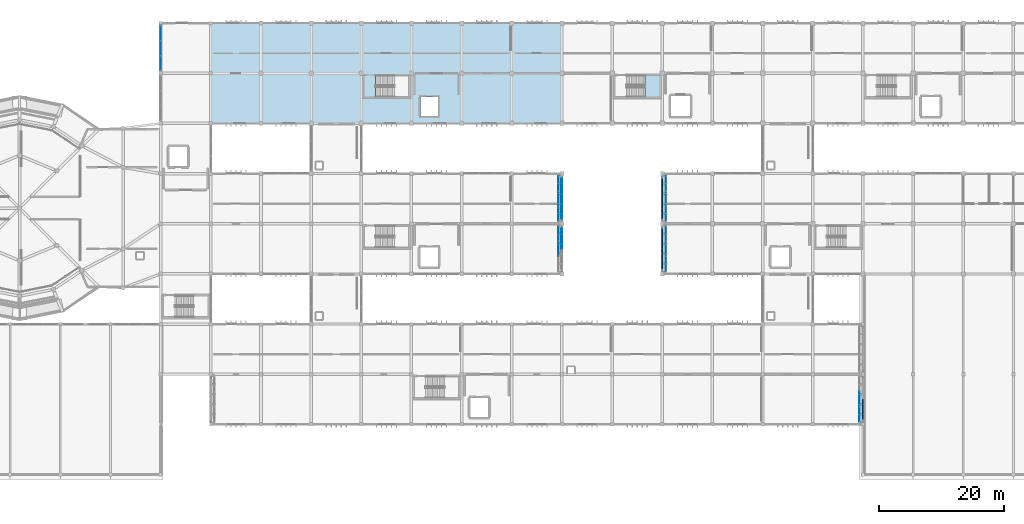
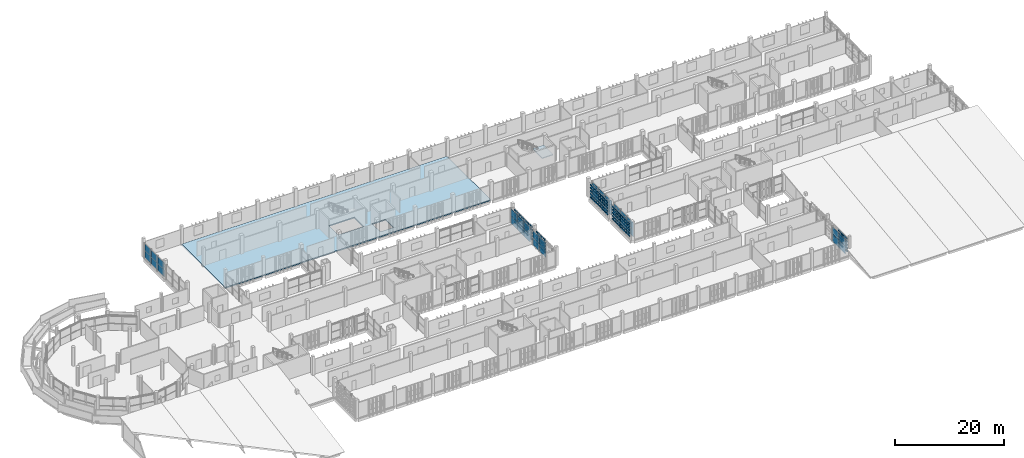
# One storey, part 59 of 83: 112 plates, 2 slabs, 7 elements without a shape of their own.
"""IFC4 building model written with IfcOpenShell, lengths in metres."""

from ifc_helpers import new_model, si_unit, direction, frame, origin, origin_2d, place, context, subcontext, project, spatial, polyline, rectangle, outline, extrude, material, layer, layer_set, type_object, element, aggregate, save


model = new_model("IFC4")

# Units and contexts
model_context = context("Model", 3, precision=1e-05, world=origin(), true_north=direction((0.0, 1.0)))
body_context = subcontext(model_context, "Body", "Model", "MODEL_VIEW")
ifc_project = project(units=[si_unit("LENGTHUNIT", "METRE"), si_unit("AREAUNIT", "SQUARE_METRE"), si_unit("VOLUMEUNIT", "CUBIC_METRE"), si_unit("PLANEANGLEUNIT", "RADIAN"), si_unit("MASSUNIT", "GRAM", prefix="KILO")], contexts=[model_context])

# Site, building, storey
site_placement = place(None, origin())
site = spatial("IfcSite", under=ifc_project, at=site_placement, CompositionType="ELEMENT")
building_placement = place(site_placement, origin())
building = spatial("IfcBuilding", under=site, at=building_placement, Name="Jelvoka-Kovrelna Polytechnic", CompositionType="ELEMENT")
storey_placement = place(building_placement, frame((0.0, 0.0, 13.800048828125)))
storey = spatial("IfcBuildingStorey", under=building, at=storey_placement, Name="L04", CompositionType="ELEMENT", Elevation=13.800048828125)

# Curtain wall, plates
ifc_material_1 = material(Name="Anodised aluminium 6063-T6", Category="aluminium")
ifc_layer_1 = layer(ifc_material_1, 0.159912109375)
ifc_layer_set_1 = layer_set([ifc_layer_1], Name="Anodised aluminium 6063-T6")
curtain_wall_type_1 = type_object("IfcCurtainWallType", Name="CW_Recessed_A", PredefinedType="NOTDEFINED", material=ifc_layer_set_1)
curtain_wall_1_placement = place(storey_placement, origin())
curtain_wall_1 = element("IfcCurtainWall", 1, at=curtain_wall_1_placement, inside=storey, type_object=curtain_wall_type_1, Name="L04 glazed curtain wall 005", PredefinedType="NOTDEFINED")
ifc_material_2 = material(Name="Solar-control double glazing", Category="glass")
ifc_layer_2 = layer(ifc_material_2, 0.028076171875)
ifc_layer_set_2 = layer_set([ifc_layer_2], Name="Solar-control double glazing")
plate_type_1 = type_object("IfcPlateType", Name="Panel_GP-01", PredefinedType="CURTAIN_PANEL", material=ifc_layer_set_2)
plate_1_placement = place(storey_placement, frame((159.43994140625, 12.0, 0.052001953125), z_axis=(0.0, 0.0, 1.0), x_axis=(0.0, -1.0, 0.0)))
plate_1 = element("IfcPlate", 2, at=plate_1_placement, type_object=plate_type_1, Name="CW-01 panel 2.1", PredefinedType="CURTAIN_PANEL", context=body_context, shape_type="SweptSolid", body=[
    extrude(rectangle(XDim=2.356201171875, YDim=0.028076171875, at=origin_2d()), origin(), (0.0, 0.0, 1.0), 1.60107421875),
])
plate_2_placement = place(storey_placement, frame((159.43994140625, 12.0, 1.697021484375), z_axis=(0.0, 0.0, 1.0), x_axis=(0.0, -1.0, 0.0)))
plate_2 = element("IfcPlate", 3, at=plate_2_placement, type_object=plate_type_1, Name="CW-01 panel 2.2", PredefinedType="CURTAIN_PANEL", context=body_context, shape_type="SweptSolid", body=[
    extrude(rectangle(XDim=2.356201171875, YDim=0.028076171875, at=origin_2d()), origin(), (0.0, 0.0, 1.0), 1.60107421875),
])
plate_3_placement = place(storey_placement, frame((159.43994140625, 9.614990234375, 0.052001953125), z_axis=(0.0, 0.0, 1.0), x_axis=(0.0, -1.0, 0.0)))
plate_3 = element("IfcPlate", 4, at=plate_3_placement, type_object=plate_type_1, Name="CW-01 panel 3.1", PredefinedType="CURTAIN_PANEL", context=body_context, shape_type="SweptSolid", body=[
    extrude(rectangle(XDim=2.326171875, YDim=0.028076171875, at=origin_2d()), origin(), (0.0, 0.0, 1.0), 1.60107421875),
])
plate_4_placement = place(storey_placement, frame((159.43994140625, 9.614990234375, 1.697021484375), z_axis=(0.0, 0.0, 1.0), x_axis=(0.0, -1.0, 0.0)))
plate_4 = element("IfcPlate", 5, at=plate_4_placement, type_object=plate_type_1, Name="CW-01 panel 3.2", PredefinedType="CURTAIN_PANEL", context=body_context, shape_type="SweptSolid", body=[
    extrude(rectangle(XDim=2.326171875, YDim=0.028076171875, at=origin_2d()), origin(), (0.0, 0.0, 1.0), 1.60107421875),
])
aggregate(curtain_wall_1, [plate_1, plate_2, plate_3, plate_4])

curtain_wall_2_placement = place(storey_placement, origin())
curtain_wall_2 = element("IfcCurtainWall", 6, at=curtain_wall_2_placement, inside=storey, type_object=curtain_wall_type_1, Name="L04 glazed curtain wall 031", PredefinedType="NOTDEFINED")
plate_5_placement = place(storey_placement, frame((111.43994140625, 38.385009765625, 0.052001953125), z_axis=(0.0, 0.0, 1.0), x_axis=(0.0, -1.0, 0.0)))
plate_5 = element("IfcPlate", 7, at=plate_5_placement, type_object=plate_type_1, Name="CW-01 panel 1.1", PredefinedType="CURTAIN_PANEL", context=body_context, shape_type="SweptSolid", body=[
    extrude(rectangle(XDim=2.326171875, YDim=0.028076171875, at=origin_2d()), origin(), (0.0, 0.0, 1.0), 1.60107421875),
])
plate_6_placement = place(storey_placement, frame((111.43994140625, 38.385009765625, 1.697021484375), z_axis=(0.0, 0.0, 1.0), x_axis=(0.0, -1.0, 0.0)))
plate_6 = element("IfcPlate", 8, at=plate_6_placement, type_object=plate_type_1, Name="CW-01 panel 1.2", PredefinedType="CURTAIN_PANEL", context=body_context, shape_type="SweptSolid", body=[
    extrude(rectangle(XDim=2.326171875, YDim=0.028076171875, at=origin_2d()), origin(), (0.0, 0.0, 1.0), 1.60107421875),
])
plate_7_placement = place(storey_placement, frame((111.43994140625, 36.0, 0.052001953125), z_axis=(0.0, 0.0, 1.0), x_axis=(0.0, -1.0, 0.0)))
plate_7 = element("IfcPlate", 9, at=plate_7_placement, type_object=plate_type_1, Name="CW-01 panel 2.1", PredefinedType="CURTAIN_PANEL", context=body_context, shape_type="SweptSolid", body=[
    extrude(rectangle(XDim=2.356201171875, YDim=0.028076171875, at=origin_2d()), origin(), (0.0, 0.0, 1.0), 1.60107421875),
])
plate_8_placement = place(storey_placement, frame((111.43994140625, 36.0, 1.697021484375), z_axis=(0.0, 0.0, 1.0), x_axis=(0.0, -1.0, 0.0)))
plate_8 = element("IfcPlate", 10, at=plate_8_placement, type_object=plate_type_1, Name="CW-01 panel 2.2", PredefinedType="CURTAIN_PANEL", context=body_context, shape_type="SweptSolid", body=[
    extrude(rectangle(XDim=2.356201171875, YDim=0.028076171875, at=origin_2d()), origin(), (0.0, 0.0, 1.0), 1.60107421875),
])
aggregate(curtain_wall_2, [plate_5, plate_6, plate_7, plate_8])

curtain_wall_3_placement = place(storey_placement, origin())
curtain_wall_3 = element("IfcCurtainWall", 11, at=curtain_wall_3_placement, inside=storey, type_object=curtain_wall_type_1, Name="L04 glazed curtain wall 032", PredefinedType="NOTDEFINED")
plate_9_placement = place(storey_placement, frame((111.43994140625, 46.385009765625, 0.052001953125), z_axis=(0.0, 0.0, 1.0), x_axis=(0.0, -1.0, 0.0)))
plate_9 = element("IfcPlate", 12, at=plate_9_placement, type_object=plate_type_1, Name="CW-01 panel 1.1", PredefinedType="CURTAIN_PANEL", context=body_context, shape_type="SweptSolid", body=[
    extrude(rectangle(XDim=2.326171875, YDim=0.028076171875, at=origin_2d()), origin(), (0.0, 0.0, 1.0), 1.60107421875),
])
plate_10_placement = place(storey_placement, frame((111.43994140625, 46.385009765625, 1.697021484375), z_axis=(0.0, 0.0, 1.0), x_axis=(0.0, -1.0, 0.0)))
plate_10 = element("IfcPlate", 13, at=plate_10_placement, type_object=plate_type_1, Name="CW-01 panel 1.2", PredefinedType="CURTAIN_PANEL", context=body_context, shape_type="SweptSolid", body=[
    extrude(rectangle(XDim=2.326171875, YDim=0.028076171875, at=origin_2d()), origin(), (0.0, 0.0, 1.0), 1.60107421875),
])
plate_11_placement = place(storey_placement, frame((111.43994140625, 44.0, 0.052001953125), z_axis=(0.0, 0.0, 1.0), x_axis=(0.0, -1.0, 0.0)))
plate_11 = element("IfcPlate", 14, at=plate_11_placement, type_object=plate_type_1, Name="CW-01 panel 2.1", PredefinedType="CURTAIN_PANEL", context=body_context, shape_type="SweptSolid", body=[
    extrude(rectangle(XDim=2.356201171875, YDim=0.028076171875, at=origin_2d()), origin(), (0.0, 0.0, 1.0), 1.60107421875),
])
plate_12_placement = place(storey_placement, frame((111.43994140625, 44.0, 1.697021484375), z_axis=(0.0, 0.0, 1.0), x_axis=(0.0, -1.0, 0.0)))
plate_12 = element("IfcPlate", 15, at=plate_12_placement, type_object=plate_type_1, Name="CW-01 panel 2.2", PredefinedType="CURTAIN_PANEL", context=body_context, shape_type="SweptSolid", body=[
    extrude(rectangle(XDim=2.356201171875, YDim=0.028076171875, at=origin_2d()), origin(), (0.0, 0.0, 1.0), 1.60107421875),
])
plate_13_placement = place(storey_placement, frame((111.43994140625, 41.614990234375, 0.052001953125), z_axis=(0.0, 0.0, 1.0), x_axis=(0.0, -1.0, 0.0)))
plate_13 = element("IfcPlate", 16, at=plate_13_placement, type_object=plate_type_1, Name="CW-01 panel 3.1", PredefinedType="CURTAIN_PANEL", context=body_context, shape_type="SweptSolid", body=[
    extrude(rectangle(XDim=2.326171875, YDim=0.028076171875, at=origin_2d()), origin(), (0.0, 0.0, 1.0), 1.60107421875),
])
plate_14_placement = place(storey_placement, frame((111.43994140625, 41.614990234375, 1.697021484375), z_axis=(0.0, 0.0, 1.0), x_axis=(0.0, -1.0, 0.0)))
plate_14 = element("IfcPlate", 17, at=plate_14_placement, type_object=plate_type_1, Name="CW-01 panel 3.2", PredefinedType="CURTAIN_PANEL", context=body_context, shape_type="SweptSolid", body=[
    extrude(rectangle(XDim=2.326171875, YDim=0.028076171875, at=origin_2d()), origin(), (0.0, 0.0, 1.0), 1.60107421875),
])
aggregate(curtain_wall_3, [plate_9, plate_10, plate_11, plate_12, plate_13, plate_14])

curtain_wall_4_placement = place(storey_placement, origin())
curtain_wall_4 = element("IfcCurtainWall", 18, at=curtain_wall_4_placement, inside=storey, type_object=curtain_wall_type_1, Name="L04 glazed curtain wall 066", PredefinedType="NOTDEFINED")
plate_15_placement = place(storey_placement, frame((128.56005859375, 33.614990234375, 0.052001953125), z_axis=(0.0, 0.0, 1.0), x_axis=(0.0, 1.0, 0.0)))
plate_15 = element("IfcPlate", 19, at=plate_15_placement, type_object=plate_type_1, Name="CW-01 panel 1.1", PredefinedType="CURTAIN_PANEL", context=body_context, shape_type="SweptSolid", body=[
    extrude(rectangle(XDim=2.326171875, YDim=0.028076171875, at=origin_2d()), origin(), (0.0, 0.0, 1.0), 1.60107421875),
])
plate_16_placement = place(storey_placement, frame((128.56005859375, 33.614990234375, 1.697021484375), z_axis=(0.0, 0.0, 1.0), x_axis=(0.0, 1.0, 0.0)))
plate_16 = element("IfcPlate", 20, at=plate_16_placement, type_object=plate_type_1, Name="CW-01 panel 1.2", PredefinedType="CURTAIN_PANEL", context=body_context, shape_type="SweptSolid", body=[
    extrude(rectangle(XDim=2.326171875, YDim=0.028076171875, at=origin_2d()), origin(), (0.0, 0.0, 1.0), 1.60107421875),
])
plate_17_placement = place(storey_placement, frame((128.56005859375, 36.0, 0.052001953125), z_axis=(0.0, 0.0, 1.0), x_axis=(0.0, 1.0, 0.0)))
plate_17 = element("IfcPlate", 21, at=plate_17_placement, type_object=plate_type_1, Name="CW-01 panel 2.1", PredefinedType="CURTAIN_PANEL", context=body_context, shape_type="SweptSolid", body=[
    extrude(rectangle(XDim=2.356201171875, YDim=0.028076171875, at=origin_2d()), origin(), (0.0, 0.0, 1.0), 1.60107421875),
])
plate_18_placement = place(storey_placement, frame((128.56005859375, 36.0, 1.697021484375), z_axis=(0.0, 0.0, 1.0), x_axis=(0.0, 1.0, 0.0)))
plate_18 = element("IfcPlate", 22, at=plate_18_placement, type_object=plate_type_1, Name="CW-01 panel 2.2", PredefinedType="CURTAIN_PANEL", context=body_context, shape_type="SweptSolid", body=[
    extrude(rectangle(XDim=2.356201171875, YDim=0.028076171875, at=origin_2d()), origin(), (0.0, 0.0, 1.0), 1.60107421875),
])
plate_19_placement = place(storey_placement, frame((128.56005859375, 38.385009765625, 0.052001953125), z_axis=(0.0, 0.0, 1.0), x_axis=(0.0, 1.0, 0.0)))
plate_19 = element("IfcPlate", 23, at=plate_19_placement, type_object=plate_type_1, Name="CW-01 panel 3.1", PredefinedType="CURTAIN_PANEL", context=body_context, shape_type="SweptSolid", body=[
    extrude(rectangle(XDim=2.326171875, YDim=0.028076171875, at=origin_2d()), origin(), (0.0, 0.0, 1.0), 1.60107421875),
])
plate_20_placement = place(storey_placement, frame((128.56005859375, 38.385009765625, 1.697021484375), z_axis=(0.0, 0.0, 1.0), x_axis=(0.0, 1.0, 0.0)))
plate_20 = element("IfcPlate", 24, at=plate_20_placement, type_object=plate_type_1, Name="CW-01 panel 3.2", PredefinedType="CURTAIN_PANEL", context=body_context, shape_type="SweptSolid", body=[
    extrude(rectangle(XDim=2.326171875, YDim=0.028076171875, at=origin_2d()), origin(), (0.0, 0.0, 1.0), 1.60107421875),
])
aggregate(curtain_wall_4, [plate_15, plate_16, plate_17, plate_18, plate_19, plate_20])

curtain_wall_5_placement = place(storey_placement, origin())
curtain_wall_5 = element("IfcCurtainWall", 25, at=curtain_wall_5_placement, inside=storey, type_object=curtain_wall_type_1, Name="L04 glazed curtain wall 067", PredefinedType="NOTDEFINED")
plate_21_placement = place(storey_placement, frame((128.56005859375, 41.614990234375, 0.052001953125), z_axis=(0.0, 0.0, 1.0), x_axis=(0.0, 1.0, 0.0)))
plate_21 = element("IfcPlate", 26, at=plate_21_placement, type_object=plate_type_1, Name="CW-01 panel 1.1", PredefinedType="CURTAIN_PANEL", context=body_context, shape_type="SweptSolid", body=[
    extrude(rectangle(XDim=2.326171875, YDim=0.028076171875, at=origin_2d()), origin(), (0.0, 0.0, 1.0), 1.60107421875),
])
plate_22_placement = place(storey_placement, frame((128.56005859375, 41.614990234375, 1.697021484375), z_axis=(0.0, 0.0, 1.0), x_axis=(0.0, 1.0, 0.0)))
plate_22 = element("IfcPlate", 27, at=plate_22_placement, type_object=plate_type_1, Name="CW-01 panel 1.2", PredefinedType="CURTAIN_PANEL", context=body_context, shape_type="SweptSolid", body=[
    extrude(rectangle(XDim=2.326171875, YDim=0.028076171875, at=origin_2d()), origin(), (0.0, 0.0, 1.0), 1.60107421875),
])
plate_23_placement = place(storey_placement, frame((128.56005859375, 44.0, 0.052001953125), z_axis=(0.0, 0.0, 1.0), x_axis=(0.0, 1.0, 0.0)))
plate_23 = element("IfcPlate", 28, at=plate_23_placement, type_object=plate_type_1, Name="CW-01 panel 2.1", PredefinedType="CURTAIN_PANEL", context=body_context, shape_type="SweptSolid", body=[
    extrude(rectangle(XDim=2.356201171875, YDim=0.028076171875, at=origin_2d()), origin(), (0.0, 0.0, 1.0), 1.60107421875),
])
plate_24_placement = place(storey_placement, frame((128.56005859375, 44.0, 1.697021484375), z_axis=(0.0, 0.0, 1.0), x_axis=(0.0, 1.0, 0.0)))
plate_24 = element("IfcPlate", 29, at=plate_24_placement, type_object=plate_type_1, Name="CW-01 panel 2.2", PredefinedType="CURTAIN_PANEL", context=body_context, shape_type="SweptSolid", body=[
    extrude(rectangle(XDim=2.356201171875, YDim=0.028076171875, at=origin_2d()), origin(), (0.0, 0.0, 1.0), 1.60107421875),
])
plate_25_placement = place(storey_placement, frame((128.56005859375, 46.385009765625, 0.052001953125), z_axis=(0.0, 0.0, 1.0), x_axis=(0.0, 1.0, 0.0)))
plate_25 = element("IfcPlate", 30, at=plate_25_placement, type_object=plate_type_1, Name="CW-01 panel 3.1", PredefinedType="CURTAIN_PANEL", context=body_context, shape_type="SweptSolid", body=[
    extrude(rectangle(XDim=2.326171875, YDim=0.028076171875, at=origin_2d()), origin(), (0.0, 0.0, 1.0), 1.60107421875),
])
plate_26_placement = place(storey_placement, frame((128.56005859375, 46.385009765625, 1.697021484375), z_axis=(0.0, 0.0, 1.0), x_axis=(0.0, 1.0, 0.0)))
plate_26 = element("IfcPlate", 31, at=plate_26_placement, type_object=plate_type_1, Name="CW-01 panel 3.2", PredefinedType="CURTAIN_PANEL", context=body_context, shape_type="SweptSolid", body=[
    extrude(rectangle(XDim=2.326171875, YDim=0.028076171875, at=origin_2d()), origin(), (0.0, 0.0, 1.0), 1.60107421875),
])
aggregate(curtain_wall_5, [plate_21, plate_22, plate_23, plate_24, plate_25, plate_26])

ifc_material_3 = material(Name="Anodised aluminium 6063-T6", Category="aluminium")
ifc_layer_3 = layer(ifc_material_3, 0.179931640625)
ifc_layer_set_3 = layer_set([ifc_layer_3], Name="Anodised aluminium 6063-T6")
curtain_wall_type_2 = type_object("IfcCurtainWallType", Name="CW_Pavilion", PredefinedType="NOTDEFINED", material=ifc_layer_set_3)
curtain_wall_6_placement = place(storey_placement, origin())
curtain_wall_6 = element("IfcCurtainWall", 32, at=curtain_wall_6_placement, inside=storey, type_object=curtain_wall_type_2, Name="L04 glazed curtain wall 143", PredefinedType="NOTDEFINED")
ifc_material_4 = material(Name="Solar-control double glazing", Category="glass")
ifc_layer_4 = layer(ifc_material_4, 0.030029296875)
ifc_layer_set_4 = layer_set([ifc_layer_4], Name="Solar-control double glazing")
plate_type_2 = type_object("IfcPlateType", Name="Panel_GP-05", PredefinedType="CURTAIN_PANEL", material=ifc_layer_set_4)
plate_27_placement = place(storey_placement, frame((48.0, 65.6162109375, 0.056884765625), z_axis=(0.0, 0.0, 1.0), x_axis=(0.0, 1.0, 0.0)))
plate_27 = element("IfcPlate", 33, at=plate_27_placement, type_object=plate_type_2, Name="CW-05 panel 1.1", PredefinedType="CURTAIN_PANEL", context=body_context, shape_type="SweptSolid", body=[
    extrude(rectangle(XDim=2.318603515625, YDim=0.030029296875, at=origin_2d()), origin(), (0.0, 0.0, 1.0), 1.531005859375),
])
plate_28_placement = place(storey_placement, frame((48.0, 65.6162109375, 1.636962890625), z_axis=(0.0, 0.0, 1.0), x_axis=(0.0, 1.0, 0.0)))
plate_28 = element("IfcPlate", 34, at=plate_28_placement, type_object=plate_type_2, Name="CW-05 panel 1.2", PredefinedType="CURTAIN_PANEL", context=body_context, shape_type="SweptSolid", body=[
    extrude(rectangle(XDim=2.318603515625, YDim=0.030029296875, at=origin_2d()), origin(), (0.0, 0.0, 1.0), 1.531005859375),
])
plate_29_placement = place(storey_placement, frame((48.0, 68.0, 0.056884765625), z_axis=(0.0, 0.0, 1.0), x_axis=(0.0, 1.0, 0.0)))
plate_29 = element("IfcPlate", 35, at=plate_29_placement, type_object=plate_type_2, Name="CW-05 panel 2.1", PredefinedType="CURTAIN_PANEL", context=body_context, shape_type="SweptSolid", body=[
    extrude(rectangle(XDim=2.35107421875, YDim=0.030029296875, at=origin_2d()), origin(), (0.0, 0.0, 1.0), 1.531005859375),
])
plate_30_placement = place(storey_placement, frame((48.0, 68.0, 1.636962890625), z_axis=(0.0, 0.0, 1.0), x_axis=(0.0, 1.0, 0.0)))
plate_30 = element("IfcPlate", 36, at=plate_30_placement, type_object=plate_type_2, Name="CW-05 panel 2.2", PredefinedType="CURTAIN_PANEL", context=body_context, shape_type="SweptSolid", body=[
    extrude(rectangle(XDim=2.35107421875, YDim=0.030029296875, at=origin_2d()), origin(), (0.0, 0.0, 1.0), 1.531005859375),
])
plate_31_placement = place(storey_placement, frame((48.0, 70.3837890625, 0.056884765625), z_axis=(0.0, 0.0, 1.0), x_axis=(0.0, 1.0, 0.0)))
plate_31 = element("IfcPlate", 37, at=plate_31_placement, type_object=plate_type_2, Name="CW-05 panel 3.1", PredefinedType="CURTAIN_PANEL", context=body_context, shape_type="SweptSolid", body=[
    extrude(rectangle(XDim=2.318603515625, YDim=0.030029296875, at=origin_2d()), origin(), (0.0, 0.0, 1.0), 1.531005859375),
])
plate_32_placement = place(storey_placement, frame((48.0, 70.3837890625, 1.636962890625), z_axis=(0.0, 0.0, 1.0), x_axis=(0.0, 1.0, 0.0)))
plate_32 = element("IfcPlate", 38, at=plate_32_placement, type_object=plate_type_2, Name="CW-05 panel 3.2", PredefinedType="CURTAIN_PANEL", context=body_context, shape_type="SweptSolid", body=[
    extrude(rectangle(XDim=2.318603515625, YDim=0.030029296875, at=origin_2d()), origin(), (0.0, 0.0, 1.0), 1.531005859375),
])
aggregate(curtain_wall_6, [plate_27, plate_28, plate_29, plate_30, plate_31, plate_32])

# Plates
ifc_material_5 = material(Name="Perforated fired terracotta block", Category="masonry")
ifc_layer_5 = layer(ifc_material_5, 0.179931640625)
ifc_layer_set_5 = layer_set([ifc_layer_5], Name="Perforated fired terracotta block")
plate_type_3 = type_object("IfcPlateType", Name="Screen_Terracotta_TP02", PredefinedType="USERDEFINED", material=ifc_layer_set_5)
for number, where, z_axis, x_axis, name in (
    (39, (159.97998046875, 9.60009765625, 0.2001953125), (0.0, 0.0, 1.0), (0.0, 1.0, 0.0), "L04 perforated terracotta lattice band 0081"),
    (40, (159.97998046875, 9.60009765625, 0.892578125), (0.0, 0.0, 1.0), (0.0, 1.0, 0.0), "L04 perforated terracotta lattice band 0082"),
    (41, (159.97998046875, 9.60009765625, 1.5849609375), (0.0, 0.0, 1.0), (0.0, 1.0, 0.0), "L04 perforated terracotta lattice band 0083"),
    (42, (159.97998046875, 9.60009765625, 2.27734375), (0.0, 0.0, 1.0), (0.0, 1.0, 0.0), "L04 perforated terracotta lattice band 0084"),
    (43, (159.97998046875, 9.60009765625, 2.9697265625), (0.0, 0.0, 1.0), (0.0, 1.0, 0.0), "L04 perforated terracotta lattice band 0085"),
    (44, (159.97998046875, 11.199951171875, 0.2001953125), (0.0, 0.0, 1.0), (0.0, 1.0, 0.0), "L04 perforated terracotta lattice band 0086"),
    (45, (159.97998046875, 11.199951171875, 0.892578125), (0.0, 0.0, 1.0), (0.0, 1.0, 0.0), "L04 perforated terracotta lattice band 0087"),
    (46, (159.97998046875, 11.199951171875, 1.5849609375), (0.0, 0.0, 1.0), (0.0, 1.0, 0.0), "L04 perforated terracotta lattice band 0088"),
    (47, (159.97998046875, 11.199951171875, 2.27734375), (0.0, 0.0, 1.0), (0.0, 1.0, 0.0), "L04 perforated terracotta lattice band 0089"),
    (48, (159.97998046875, 11.199951171875, 2.9697265625), (0.0, 0.0, 1.0), (0.0, 1.0, 0.0), "L04 perforated terracotta lattice band 0090"),
):
    element("IfcPlate", number, at=place(storey_placement, frame(where, z_axis=z_axis, x_axis=x_axis)), inside=storey, type_object=plate_type_3, Name=name, ObjectType="SCREEN PANEL", PredefinedType="USERDEFINED", context=body_context, shape_type="SweptSolid", body=[
        extrude(rectangle(XDim=1.60009765625, YDim=0.179931640625, at=origin_2d()), origin(), (0.0, 0.0, 1.0), 0.239990234375),
    ])
ifc_material_6 = material(Name="Perforated fired terracotta block", Category="masonry")
ifc_layer_6 = layer(ifc_material_6, 0.14990234375)
ifc_layer_set_6 = layer_set([ifc_layer_6], Name="Perforated fired terracotta block")
plate_type_4 = type_object("IfcPlateType", Name="Screen_Terracotta_TP03", PredefinedType="USERDEFINED", material=ifc_layer_set_6)
for number, where, z_axis, x_axis, name in (
    (49, (111.97998046875, 36.800048828125, 0.18994140625), (0.0, 0.0, 1.0), (0.0, 1.0, 0.0), "L04 perforated terracotta lattice band 0291"),
    (50, (111.97998046875, 36.800048828125, 0.88232421875), (0.0, 0.0, 1.0), (0.0, 1.0, 0.0), "L04 perforated terracotta lattice band 0292"),
    (51, (111.97998046875, 36.800048828125, 1.57470703125), (0.0, 0.0, 1.0), (0.0, 1.0, 0.0), "L04 perforated terracotta lattice band 0293"),
    (52, (111.97998046875, 36.800048828125, 2.267578125), (0.0, 0.0, 1.0), (0.0, 1.0, 0.0), "L04 perforated terracotta lattice band 0294"),
    (53, (111.97998046875, 36.800048828125, 2.9599609375), (0.0, 0.0, 1.0), (0.0, 1.0, 0.0), "L04 perforated terracotta lattice band 0295"),
    (54, (111.97998046875, 38.39990234375, 0.18994140625), (0.0, 0.0, 1.0), (0.0, 1.0, 0.0), "L04 perforated terracotta lattice band 0296"),
    (55, (111.97998046875, 38.39990234375, 0.88232421875), (0.0, 0.0, 1.0), (0.0, 1.0, 0.0), "L04 perforated terracotta lattice band 0297"),
    (56, (111.97998046875, 38.39990234375, 1.57470703125), (0.0, 0.0, 1.0), (0.0, 1.0, 0.0), "L04 perforated terracotta lattice band 0298"),
    (57, (111.97998046875, 38.39990234375, 2.267578125), (0.0, 0.0, 1.0), (0.0, 1.0, 0.0), "L04 perforated terracotta lattice band 0299"),
    (58, (111.97998046875, 38.39990234375, 2.9599609375), (0.0, 0.0, 1.0), (0.0, 1.0, 0.0), "L04 perforated terracotta lattice band 0300"),
    (59, (111.97998046875, 41.60009765625, 0.18994140625), (0.0, 0.0, 1.0), (0.0, 1.0, 0.0), "L04 perforated terracotta lattice band 0301"),
    (60, (111.97998046875, 41.60009765625, 0.88232421875), (0.0, 0.0, 1.0), (0.0, 1.0, 0.0), "L04 perforated terracotta lattice band 0302"),
    (61, (111.97998046875, 41.60009765625, 1.57470703125), (0.0, 0.0, 1.0), (0.0, 1.0, 0.0), "L04 perforated terracotta lattice band 0303"),
    (62, (111.97998046875, 41.60009765625, 2.267578125), (0.0, 0.0, 1.0), (0.0, 1.0, 0.0), "L04 perforated terracotta lattice band 0304"),
    (63, (111.97998046875, 41.60009765625, 2.9599609375), (0.0, 0.0, 1.0), (0.0, 1.0, 0.0), "L04 perforated terracotta lattice band 0305"),
    (64, (111.97998046875, 43.199951171875, 0.18994140625), (0.0, 0.0, 1.0), (0.0, 1.0, 0.0), "L04 perforated terracotta lattice band 0306"),
    (65, (111.97998046875, 43.199951171875, 0.88232421875), (0.0, 0.0, 1.0), (0.0, 1.0, 0.0), "L04 perforated terracotta lattice band 0307"),
    (66, (111.97998046875, 43.199951171875, 1.57470703125), (0.0, 0.0, 1.0), (0.0, 1.0, 0.0), "L04 perforated terracotta lattice band 0308"),
    (67, (111.97998046875, 43.199951171875, 2.267578125), (0.0, 0.0, 1.0), (0.0, 1.0, 0.0), "L04 perforated terracotta lattice band 0309"),
    (68, (111.97998046875, 43.199951171875, 2.9599609375), (0.0, 0.0, 1.0), (0.0, 1.0, 0.0), "L04 perforated terracotta lattice band 0310"),
    (69, (111.97998046875, 44.800048828125, 0.18994140625), (0.0, 0.0, 1.0), (0.0, 1.0, 0.0), "L04 perforated terracotta lattice band 0311"),
    (70, (111.97998046875, 44.800048828125, 0.88232421875), (0.0, 0.0, 1.0), (0.0, 1.0, 0.0), "L04 perforated terracotta lattice band 0312"),
    (71, (111.97998046875, 44.800048828125, 1.57470703125), (0.0, 0.0, 1.0), (0.0, 1.0, 0.0), "L04 perforated terracotta lattice band 0313"),
    (72, (111.97998046875, 44.800048828125, 2.267578125), (0.0, 0.0, 1.0), (0.0, 1.0, 0.0), "L04 perforated terracotta lattice band 0314"),
    (73, (111.97998046875, 44.800048828125, 2.9599609375), (0.0, 0.0, 1.0), (0.0, 1.0, 0.0), "L04 perforated terracotta lattice band 0315"),
    (74, (111.97998046875, 46.39990234375, 0.18994140625), (0.0, 0.0, 1.0), (0.0, 1.0, 0.0), "L04 perforated terracotta lattice band 0316"),
    (75, (111.97998046875, 46.39990234375, 0.88232421875), (0.0, 0.0, 1.0), (0.0, 1.0, 0.0), "L04 perforated terracotta lattice band 0317"),
    (76, (111.97998046875, 46.39990234375, 1.57470703125), (0.0, 0.0, 1.0), (0.0, 1.0, 0.0), "L04 perforated terracotta lattice band 0318"),
    (77, (111.97998046875, 46.39990234375, 2.267578125), (0.0, 0.0, 1.0), (0.0, 1.0, 0.0), "L04 perforated terracotta lattice band 0319"),
    (78, (111.97998046875, 46.39990234375, 2.9599609375), (0.0, 0.0, 1.0), (0.0, 1.0, 0.0), "L04 perforated terracotta lattice band 0320"),
):
    element("IfcPlate", number, at=place(storey_placement, frame(where, z_axis=z_axis, x_axis=x_axis)), inside=storey, type_object=plate_type_4, Name=name, ObjectType="SCREEN PANEL", PredefinedType="USERDEFINED", context=body_context, shape_type="SweptSolid", body=[
        extrude(rectangle(XDim=1.56005859375, YDim=0.14990234375, at=origin_2d()), origin(), (0.0, 0.0, 1.0), 0.260009765625),
    ])
ifc_material_7 = material(Name="Perforated fired terracotta block", Category="masonry")
ifc_layer_7 = layer(ifc_material_7, 0.169921875)
ifc_layer_set_7 = layer_set([ifc_layer_7], Name="Perforated fired terracotta block")
plate_type_5 = type_object("IfcPlateType", Name="Screen_Terracotta_TP04", PredefinedType="USERDEFINED", material=ifc_layer_set_7)
for number, where, z_axis, x_axis, name in (
    (79, (128.02001953125, 33.60009765625, 0.18994140625), (0.0, 0.0, 1.0), (0.0, 1.0, 0.0), "L04 perforated terracotta lattice band 0661"),
    (80, (128.02001953125, 33.60009765625, 0.88232421875), (0.0, 0.0, 1.0), (0.0, 1.0, 0.0), "L04 perforated terracotta lattice band 0662"),
    (81, (128.02001953125, 33.60009765625, 1.57470703125), (0.0, 0.0, 1.0), (0.0, 1.0, 0.0), "L04 perforated terracotta lattice band 0663"),
    (82, (128.02001953125, 33.60009765625, 2.267578125), (0.0, 0.0, 1.0), (0.0, 1.0, 0.0), "L04 perforated terracotta lattice band 0664"),
    (83, (128.02001953125, 33.60009765625, 2.9599609375), (0.0, 0.0, 1.0), (0.0, 1.0, 0.0), "L04 perforated terracotta lattice band 0665"),
    (84, (128.02001953125, 35.199951171875, 0.18994140625), (0.0, 0.0, 1.0), (0.0, 1.0, 0.0), "L04 perforated terracotta lattice band 0666"),
    (85, (128.02001953125, 35.199951171875, 0.88232421875), (0.0, 0.0, 1.0), (0.0, 1.0, 0.0), "L04 perforated terracotta lattice band 0667"),
    (86, (128.02001953125, 35.199951171875, 1.57470703125), (0.0, 0.0, 1.0), (0.0, 1.0, 0.0), "L04 perforated terracotta lattice band 0668"),
    (87, (128.02001953125, 35.199951171875, 2.267578125), (0.0, 0.0, 1.0), (0.0, 1.0, 0.0), "L04 perforated terracotta lattice band 0669"),
    (88, (128.02001953125, 35.199951171875, 2.9599609375), (0.0, 0.0, 1.0), (0.0, 1.0, 0.0), "L04 perforated terracotta lattice band 0670"),
    (89, (128.02001953125, 36.800048828125, 0.18994140625), (0.0, 0.0, 1.0), (0.0, 1.0, 0.0), "L04 perforated terracotta lattice band 0671"),
    (90, (128.02001953125, 36.800048828125, 0.88232421875), (0.0, 0.0, 1.0), (0.0, 1.0, 0.0), "L04 perforated terracotta lattice band 0672"),
    (91, (128.02001953125, 36.800048828125, 1.57470703125), (0.0, 0.0, 1.0), (0.0, 1.0, 0.0), "L04 perforated terracotta lattice band 0673"),
    (92, (128.02001953125, 36.800048828125, 2.267578125), (0.0, 0.0, 1.0), (0.0, 1.0, 0.0), "L04 perforated terracotta lattice band 0674"),
    (93, (128.02001953125, 36.800048828125, 2.9599609375), (0.0, 0.0, 1.0), (0.0, 1.0, 0.0), "L04 perforated terracotta lattice band 0675"),
    (94, (128.02001953125, 38.39990234375, 0.18994140625), (0.0, 0.0, 1.0), (0.0, 1.0, 0.0), "L04 perforated terracotta lattice band 0676"),
    (95, (128.02001953125, 38.39990234375, 0.88232421875), (0.0, 0.0, 1.0), (0.0, 1.0, 0.0), "L04 perforated terracotta lattice band 0677"),
    (96, (128.02001953125, 38.39990234375, 1.57470703125), (0.0, 0.0, 1.0), (0.0, 1.0, 0.0), "L04 perforated terracotta lattice band 0678"),
    (97, (128.02001953125, 38.39990234375, 2.267578125), (0.0, 0.0, 1.0), (0.0, 1.0, 0.0), "L04 perforated terracotta lattice band 0679"),
    (98, (128.02001953125, 38.39990234375, 2.9599609375), (0.0, 0.0, 1.0), (0.0, 1.0, 0.0), "L04 perforated terracotta lattice band 0680"),
    (99, (128.02001953125, 41.60009765625, 0.18994140625), (0.0, 0.0, 1.0), (0.0, 1.0, 0.0), "L04 perforated terracotta lattice band 0681"),
    (100, (128.02001953125, 41.60009765625, 0.88232421875), (0.0, 0.0, 1.0), (0.0, 1.0, 0.0), "L04 perforated terracotta lattice band 0682"),
    (101, (128.02001953125, 41.60009765625, 1.57470703125), (0.0, 0.0, 1.0), (0.0, 1.0, 0.0), "L04 perforated terracotta lattice band 0683"),
    (102, (128.02001953125, 41.60009765625, 2.267578125), (0.0, 0.0, 1.0), (0.0, 1.0, 0.0), "L04 perforated terracotta lattice band 0684"),
    (103, (128.02001953125, 41.60009765625, 2.9599609375), (0.0, 0.0, 1.0), (0.0, 1.0, 0.0), "L04 perforated terracotta lattice band 0685"),
    (104, (128.02001953125, 43.199951171875, 0.18994140625), (0.0, 0.0, 1.0), (0.0, 1.0, 0.0), "L04 perforated terracotta lattice band 0686"),
    (105, (128.02001953125, 43.199951171875, 0.88232421875), (0.0, 0.0, 1.0), (0.0, 1.0, 0.0), "L04 perforated terracotta lattice band 0687"),
    (106, (128.02001953125, 43.199951171875, 1.57470703125), (0.0, 0.0, 1.0), (0.0, 1.0, 0.0), "L04 perforated terracotta lattice band 0688"),
    (107, (128.02001953125, 43.199951171875, 2.267578125), (0.0, 0.0, 1.0), (0.0, 1.0, 0.0), "L04 perforated terracotta lattice band 0689"),
    (108, (128.02001953125, 43.199951171875, 2.9599609375), (0.0, 0.0, 1.0), (0.0, 1.0, 0.0), "L04 perforated terracotta lattice band 0690"),
    (109, (128.02001953125, 44.800048828125, 0.18994140625), (0.0, 0.0, 1.0), (0.0, 1.0, 0.0), "L04 perforated terracotta lattice band 0691"),
    (110, (128.02001953125, 44.800048828125, 0.88232421875), (0.0, 0.0, 1.0), (0.0, 1.0, 0.0), "L04 perforated terracotta lattice band 0692"),
    (111, (128.02001953125, 44.800048828125, 1.57470703125), (0.0, 0.0, 1.0), (0.0, 1.0, 0.0), "L04 perforated terracotta lattice band 0693"),
    (112, (128.02001953125, 44.800048828125, 2.267578125), (0.0, 0.0, 1.0), (0.0, 1.0, 0.0), "L04 perforated terracotta lattice band 0694"),
    (113, (128.02001953125, 44.800048828125, 2.9599609375), (0.0, 0.0, 1.0), (0.0, 1.0, 0.0), "L04 perforated terracotta lattice band 0695"),
    (114, (128.02001953125, 46.39990234375, 0.18994140625), (0.0, 0.0, 1.0), (0.0, 1.0, 0.0), "L04 perforated terracotta lattice band 0696"),
    (115, (128.02001953125, 46.39990234375, 0.88232421875), (0.0, 0.0, 1.0), (0.0, 1.0, 0.0), "L04 perforated terracotta lattice band 0697"),
    (116, (128.02001953125, 46.39990234375, 1.57470703125), (0.0, 0.0, 1.0), (0.0, 1.0, 0.0), "L04 perforated terracotta lattice band 0698"),
    (117, (128.02001953125, 46.39990234375, 2.267578125), (0.0, 0.0, 1.0), (0.0, 1.0, 0.0), "L04 perforated terracotta lattice band 0699"),
    (118, (128.02001953125, 46.39990234375, 2.9599609375), (0.0, 0.0, 1.0), (0.0, 1.0, 0.0), "L04 perforated terracotta lattice band 0700"),
):
    element("IfcPlate", number, at=place(storey_placement, frame(where, z_axis=z_axis, x_axis=x_axis)), inside=storey, type_object=plate_type_5, Name=name, ObjectType="SCREEN PANEL", PredefinedType="USERDEFINED", context=body_context, shape_type="SweptSolid", body=[
        extrude(rectangle(XDim=1.56005859375, YDim=0.169921875, at=origin_2d()), origin(), (0.0, 0.0, 1.0), 0.260009765625),
    ])

# Slab
ifc_material_8 = material(Name="Concrete C35/45", Category="concrete")
ifc_layer_8 = layer(ifc_material_8, 0.25)
ifc_layer_set_8 = layer_set([ifc_layer_8], Name="Concrete C35/45")
slab_type_1 = type_object("IfcSlabType", Name="Slab_Floor_250", PredefinedType="FLOOR", material=ifc_layer_set_8)
slab_1_placement = place(storey_placement, frame((0.0, 0.0, -0.25)))
element("IfcSlab", 119, at=slab_1_placement, inside=storey, type_object=slab_type_1, Name="L04 B3W structural slab", PredefinedType="FLOOR", context=body_context, shape_type="SweptSolid", body=[
    extrude(outline(polyline([(56.0, 56.0), (112.0, 56.0), (112.0, 72.0), (56.0, 72.0), (56.0, 56.0)]), holes=[polyline([(89.39990234375, 57.199951171875), (92.199951171875, 57.199951171875), (92.199951171875, 60.199951171875), (89.39990234375, 60.199951171875), (89.39990234375, 57.199951171875)]), polyline([(82.264892578125, 60.199951171875), (87.60009765625, 60.199951171875), (87.60009765625, 63.639892578125), (82.264892578125, 63.639892578125), (82.264892578125, 60.199951171875)])]), origin(), (0.0, 0.0, 1.0), 0.25),
])

# Stair, slab
ifc_material_9 = material(Name="Concrete C35/45", Category="concrete")
stair_type = type_object("IfcStairType", Name="Stair_Dogleg_1580", PredefinedType="TWO_STRAIGHT_RUN_STAIR", material=ifc_material_9)
stair_placement = place(storey_placement, origin())
stair = element("IfcStair", 120, at=stair_placement, inside=storey, type_object=stair_type, Name="L04 ST11", PredefinedType="TWO_STRAIGHT_RUN_STAIR")
ifc_material_10 = material(Name="Concrete C35/45", Category="concrete")
ifc_layer_9 = layer(ifc_material_10, 0.199951171875)
ifc_layer_set_9 = layer_set([ifc_layer_9], Name="Concrete C35/45")
slab_type_2 = type_object("IfcSlabType", Name="Slab_Stair_Landing_200", PredefinedType="LANDING", material=ifc_layer_set_9)
slab_2_placement = place(storey_placement, frame((0.0, 0.0, 1.89990234375)))
slab_2 = element("IfcSlab", 121, at=slab_2_placement, type_object=slab_type_2, Name="ST11 landing 1", PredefinedType="LANDING", context=body_context, shape_type="SweptSolid", body=[
    extrude(outline(polyline([(125.27490234375, 60.199951171875), (127.60009765625, 60.199951171875), (127.60009765625, 63.639892578125), (125.27490234375, 63.639892578125), (125.27490234375, 60.199951171875)])), origin(), (0.0, 0.0, 1.0), 0.199951171875),
])
aggregate(stair, [slab_2])

save(model, "model.ifc")
